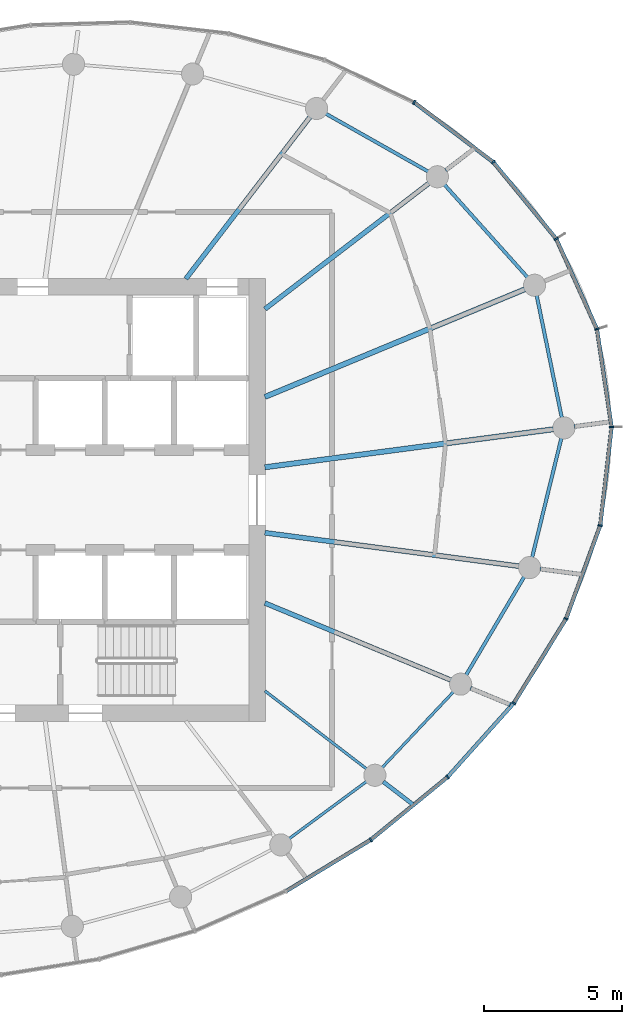
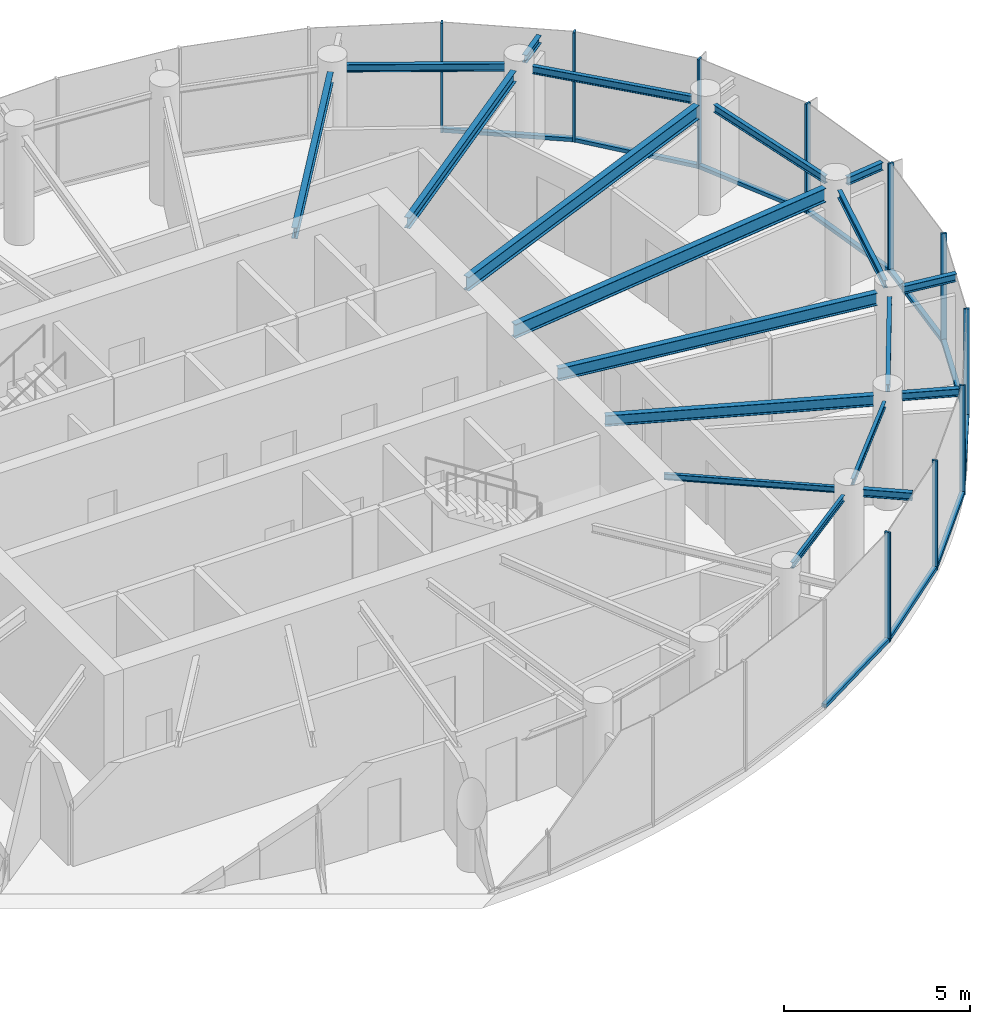
# One storey, part 5 of 13: 20 members, 19 beams, 3 elements without a shape of their own.
"""IFC4 building model written with IfcOpenShell, lengths in metres."""

from ifc_helpers import new_model, si_unit, direction, frame, origin, origin_2d, place, context, subcontext, project, spatial, rectangle, i_section, extrude, source, transform, mapped, material, layer, layer_set, material_profile, profile_set, type_object, element, aggregate, save


model = new_model("IFC4")

# Units and contexts
model_context = context("Model", 3, precision=1e-05, world=origin(), true_north=direction((0.0, 1.0)))
body_context = subcontext(model_context, "Body", "Model", "MODEL_VIEW")
ifc_project = project(units=[si_unit("LENGTHUNIT", "METRE"), si_unit("AREAUNIT", "SQUARE_METRE"), si_unit("VOLUMEUNIT", "CUBIC_METRE"), si_unit("PLANEANGLEUNIT", "RADIAN"), si_unit("MASSUNIT", "GRAM", prefix="KILO")], contexts=[model_context])

# Site, building, storey
site_placement = place(None, origin())
site = spatial("IfcSite", under=ifc_project, at=site_placement, CompositionType="ELEMENT")
building_placement = place(site_placement, origin())
building = spatial("IfcBuilding", under=site, at=building_placement, Name="Spindrift Exchange Tower", CompositionType="ELEMENT")
storey_placement = place(building_placement, frame((0.0, 0.0, 254.0)))
storey = spatial("IfcBuildingStorey", under=building, at=storey_placement, Name="L62", CompositionType="ELEMENT", Elevation=254.0)

# Beams
ifc_material_1 = material(Name="Steel Grade 300", Category="steel")
ifc_material_profile_1 = material_profile(ifc_material_1, i_section(OverallWidth=0.14599609375, OverallDepth=0.251953125, WebThickness=0.006103515625, FlangeThickness=0.008544921875, FilletRadius=0.011962890625, at=origin_2d()), Name="250UB31.4")
ifc_profile_set_1 = profile_set([ifc_material_profile_1], Name="Steel Grade 300")
beam_type_1 = type_object("IfcBeamType", Name="Cantilever Beam 250UB31.4 Steel Grade 300", PredefinedType="BEAM", material=ifc_profile_set_1)
shared_shape_1 = source(origin(), body_context, "Body", "SweptSolid", [
    extrude(i_section(OverallWidth=0.14599609375, OverallDepth=0.251953125, WebThickness=0.006103515625, FlangeThickness=0.008544921875, FilletRadius=0.011962890625, at=origin_2d()), origin(), (0.0, 0.0, 1.0), 1.551025390625),
])
beam_1_placement = place(storey_placement, frame((68.402587890625, 41.205810546875, 3.4541015625), z_axis=(0.923903659935, -0.382625178416, 0.0), x_axis=(0.382625178416, 0.923903659935, 0.0)))
element("IfcBeam", 1, at=beam_1_placement, inside=storey, type_object=beam_type_1, Name="L62 cantilever beam R23T", PredefinedType="BEAM", context=body_context, shape_type="MappedRepresentation", body=[
    mapped(shared_shape_1, transform((0.0, 0.0, 0.0), scale=1.0)),
])
shared_shape_2 = source(origin(), body_context, "Body", "SweptSolid", [
    extrude(i_section(OverallWidth=0.14599609375, OverallDepth=0.251953125, WebThickness=0.006103515625, FlangeThickness=0.008544921875, FilletRadius=0.011962890625, at=origin_2d()), origin(), (0.0, 0.0, 1.0), 1.183837890625),
])
beam_2_placement = place(storey_placement, frame((72.154052734375, 50.6533203125, 3.4541015625), z_axis=(0.991444466653, 0.130529190389, 0.0), x_axis=(-0.130529190389, 0.991444466653, 0.0)))
element("IfcBeam", 2, at=beam_2_placement, inside=storey, type_object=beam_type_1, Name="L62 cantilever beam R01T", PredefinedType="BEAM", context=body_context, shape_type="MappedRepresentation", body=[
    mapped(shared_shape_2, transform((0.0, 0.0, 0.0), scale=1.0)),
])
ifc_material_profile_2 = material_profile(ifc_material_1, i_section(OverallWidth=0.18994140625, OverallDepth=0.4541015625, WebThickness=0.008544921875, FlangeThickness=0.0126953125, FilletRadius=0.013916015625, at=origin_2d()), Name="460UB67.1")
ifc_profile_set_2 = profile_set([ifc_material_profile_2], Name="Steel Grade 300")
beam_type_2 = type_object("IfcBeamType", Name="Floor Beam 460UB67.1 Steel Grade 300", PredefinedType="BEAM", material=ifc_profile_set_2)
shared_shape_3 = source(origin(), body_context, "Body", "SweptSolid", [
    extrude(i_section(OverallWidth=0.18994140625, OverallDepth=0.4541015625, WebThickness=0.008544921875, FlangeThickness=0.0126953125, FilletRadius=0.013916015625, at=origin_2d()), origin(), (0.0, 0.0, 1.0), 10.510009765625),
])
beam_3_placement = place(storey_placement, frame((60.980224609375, 49.182373046875, 3.35302734375), z_axis=(0.991445042488, 0.130524816516, 0.0), x_axis=(-0.130524816516, 0.991445042488, 0.0)))
element("IfcBeam", 3, at=beam_3_placement, inside=storey, type_object=beam_type_2, Name="L62 radial beam R01A", PredefinedType="BEAM", context=body_context, shape_type="MappedRepresentation", body=[
    mapped(shared_shape_3, transform((0.0, 0.0, 0.0), scale=1.0)),
])
shared_shape_4 = source(origin(), body_context, "Body", "SweptSolid", [
    extrude(i_section(OverallWidth=0.18994140625, OverallDepth=0.4541015625, WebThickness=0.008544921875, FlangeThickness=0.0126953125, FilletRadius=0.013916015625, at=origin_2d()), origin(), (0.0, 0.0, 1.0), 10.160400390625),
])
beam_4_placement = place(storey_placement, frame((60.9814453125, 51.72021484375, 3.35302734375), z_axis=(0.923880358773, 0.382681437588, 0.0), x_axis=(-0.382681437588, 0.923880358773, 0.0)))
element("IfcBeam", 4, at=beam_4_placement, inside=storey, type_object=beam_type_2, Name="L62 radial beam R02A", PredefinedType="BEAM", context=body_context, shape_type="MappedRepresentation", body=[
    mapped(shared_shape_4, transform((0.0, 0.0, 0.0), scale=1.0)),
])
ifc_material_profile_3 = material_profile(ifc_material_1, i_section(OverallWidth=0.1708984375, OverallDepth=0.35205078125, WebThickness=0.0068359375, FlangeThickness=0.009765625, FilletRadius=0.013916015625, at=origin_2d()), Name="360UB44.7")
ifc_profile_set_3 = profile_set([ifc_material_profile_3], Name="Steel Grade 300")
beam_type_3 = type_object("IfcBeamType", Name="Floor Beam 360UB44.7 Steel Grade 300", PredefinedType="BEAM", material=ifc_profile_set_3)
shared_shape_5 = source(origin(), body_context, "Body", "SweptSolid", [
    extrude(i_section(OverallWidth=0.1708984375, OverallDepth=0.35205078125, WebThickness=0.0068359375, FlangeThickness=0.009765625, FilletRadius=0.013916015625, at=origin_2d()), origin(), (0.0, 0.0, 1.0), 7.466796875),
])
beam_5_placement = place(storey_placement, frame((60.984130859375, 54.893798828125, 3.404052734375), z_axis=(0.793360004804, 0.608752743548, 0.0), x_axis=(-0.608752743548, 0.793360004804, 0.0)))
element("IfcBeam", 5, at=beam_5_placement, inside=storey, type_object=beam_type_3, Name="L62 radial beam R03A", PredefinedType="BEAM", context=body_context, shape_type="MappedRepresentation", body=[
    mapped(shared_shape_5, transform((0.0, 0.0, 0.0), scale=1.0)),
])
shared_shape_6 = source(origin(), body_context, "Body", "SweptSolid", [
    extrude(i_section(OverallWidth=0.1708984375, OverallDepth=0.35205078125, WebThickness=0.0068359375, FlangeThickness=0.009765625, FilletRadius=0.013916015625, at=origin_2d()), origin(), (0.0, 0.0, 1.0), 7.3740234375),
])
beam_6_placement = place(storey_placement, frame((58.12646484375, 55.984130859375, 3.404052734375), z_axis=(0.608751913917, 0.793360641387, 0.0), x_axis=(-0.793360641387, 0.608751913917, 0.0)))
element("IfcBeam", 6, at=beam_6_placement, inside=storey, type_object=beam_type_3, Name="L62 radial beam R04A", PredefinedType="BEAM", context=body_context, shape_type="MappedRepresentation", body=[
    mapped(shared_shape_6, transform((0.0, 0.0, 0.0), scale=1.0)),
])
ifc_material_profile_4 = material_profile(ifc_material_1, i_section(OverallWidth=0.09912109375, OverallDepth=0.197998046875, WebThickness=0.00439453125, FlangeThickness=0.007080078125, FilletRadius=0.010986328125, at=origin_2d()), Name="200UB18.2")
ifc_profile_set_4 = profile_set([ifc_material_profile_4], Name="Steel Grade 300")
beam_type_4 = type_object("IfcBeamType", Name="Floor Beam 200UB18.2 Steel Grade 300", PredefinedType="BEAM", material=ifc_profile_set_4)
shared_shape_7 = source(origin(), body_context, "Body", "SweptSolid", [
    extrude(i_section(OverallWidth=0.09912109375, OverallDepth=0.197998046875, WebThickness=0.00439453125, FlangeThickness=0.007080078125, FilletRadius=0.010986328125, at=origin_2d()), origin(), (0.0, 0.0, 1.0), 4.622802734375),
])
beam_7_placement = place(storey_placement, frame((60.984130859375, 41.106201171875, 3.48095703125), z_axis=(0.793347882225, -0.608768542033, 0.0), x_axis=(0.608768542033, 0.793347882225, 0.0)))
element("IfcBeam", 7, at=beam_7_placement, inside=storey, type_object=beam_type_4, Name="L62 radial beam R22A", PredefinedType="BEAM", context=body_context, shape_type="MappedRepresentation", body=[
    mapped(shared_shape_7, transform((0.0, 0.0, 0.0), scale=1.0)),
])
shared_shape_8 = source(origin(), body_context, "Body", "SweptSolid", [
    extrude(i_section(OverallWidth=0.1708984375, OverallDepth=0.35205078125, WebThickness=0.0068359375, FlangeThickness=0.009765625, FilletRadius=0.013916015625, at=origin_2d()), origin(), (0.0, 0.0, 1.0), 7.272705078125),
])
beam_8_placement = place(storey_placement, frame((60.9814453125, 44.27978515625, 3.404052734375), z_axis=(0.923874446092, -0.382695711836, 0.0), x_axis=(0.382695711836, 0.923874446092, 0.0)))
element("IfcBeam", 8, at=beam_8_placement, inside=storey, type_object=beam_type_3, Name="L62 radial beam R23A", PredefinedType="BEAM", context=body_context, shape_type="MappedRepresentation", body=[
    mapped(shared_shape_8, transform((0.0, 0.0, 0.0), scale=1.0)),
])
ifc_material_profile_5 = material_profile(ifc_material_1, i_section(OverallWidth=0.177978515625, OverallDepth=0.403076171875, WebThickness=0.007568359375, FlangeThickness=0.010986328125, FilletRadius=0.013916015625, at=origin_2d()), Name="410UB53.7")
ifc_profile_set_5 = profile_set([ifc_material_profile_5], Name="Steel Grade 300")
beam_type_5 = type_object("IfcBeamType", Name="Floor Beam 410UB53.7 Steel Grade 300", PredefinedType="BEAM", material=ifc_profile_set_5)
shared_shape_9 = source(origin(), body_context, "Body", "SweptSolid", [
    extrude(i_section(OverallWidth=0.177978515625, OverallDepth=0.403076171875, WebThickness=0.007568359375, FlangeThickness=0.010986328125, FilletRadius=0.013916015625, at=origin_2d()), origin(), (0.0, 0.0, 1.0), 9.261962890625),
])
beam_9_placement = place(storey_placement, frame((60.980224609375, 46.817626953125, 3.37841796875), z_axis=(0.991447744872, -0.130504288008, 0.0), x_axis=(0.130504288008, 0.991447744872, 0.0)))
element("IfcBeam", 9, at=beam_9_placement, inside=storey, type_object=beam_type_5, Name="L62 radial beam R24A", PredefinedType="BEAM", context=body_context, shape_type="MappedRepresentation", body=[
    mapped(shared_shape_9, transform((0.0, 0.0, 0.0), scale=1.0)),
])
ifc_material_profile_6 = material_profile(ifc_material_1, i_section(OverallWidth=0.1240234375, OverallDepth=0.248046875, WebThickness=0.0048828125, FlangeThickness=0.008056640625, FilletRadius=0.011962890625, at=origin_2d()), Name="250UB25.7")
ifc_profile_set_6 = profile_set([ifc_material_profile_6], Name="Steel Grade 300")
beam_type_6 = type_object("IfcBeamType", Name="Edge Beam 250UB25.7 Steel Grade 300", PredefinedType="SPANDREL", material=ifc_profile_set_6)
shared_shape_10 = source(origin(), body_context, "Body", "SweptSolid", [
    extrude(i_section(OverallWidth=0.1240234375, OverallDepth=0.248046875, WebThickness=0.0048828125, FlangeThickness=0.008056640625, FilletRadius=0.011962890625, at=origin_2d()), origin(), (0.0, 0.0, 1.0), 4.497802734375),
])
beam_10_placement = place(storey_placement, frame((71.700927734375, 50.975830078125, 3.4560546875), z_axis=(-0.201217935785, 0.979546498293, 0.0), x_axis=(-0.979546498293, -0.201217935785, 0.0)))
element("IfcBeam", 10, at=beam_10_placement, inside=storey, type_object=beam_type_6, Name="L62 edge beam E01", PredefinedType="SPANDREL", context=body_context, shape_type="MappedRepresentation", body=[
    mapped(shared_shape_10, transform((0.0, 0.0, 0.0), scale=1.0)),
])
shared_shape_11 = source(origin(), body_context, "Body", "SweptSolid", [
    extrude(i_section(OverallWidth=0.1240234375, OverallDepth=0.248046875, WebThickness=0.0048828125, FlangeThickness=0.008056640625, FilletRadius=0.011962890625, at=origin_2d()), origin(), (0.0, 0.0, 1.0), 4.499755859375),
])
beam_11_placement = place(storey_placement, frame((70.466064453125, 56.036865234375, 3.4560546875), z_axis=(-0.667419502646, 0.744681950558, 0.0), x_axis=(-0.744681950558, -0.667419502646, 0.0)))
element("IfcBeam", 11, at=beam_11_placement, inside=storey, type_object=beam_type_6, Name="L62 edge beam E02", PredefinedType="SPANDREL", context=body_context, shape_type="MappedRepresentation", body=[
    mapped(shared_shape_11, transform((0.0, 0.0, 0.0), scale=1.0)),
])
shared_shape_12 = source(origin(), body_context, "Body", "SweptSolid", [
    extrude(i_section(OverallWidth=0.1240234375, OverallDepth=0.248046875, WebThickness=0.0048828125, FlangeThickness=0.008056640625, FilletRadius=0.011962890625, at=origin_2d()), origin(), (0.0, 0.0, 1.0), 4.2509765625),
])
beam_12_placement = place(storey_placement, frame((66.878662109375, 59.857666015625, 3.4560546875), z_axis=(-0.870615246867, 0.491964523033, 0.0), x_axis=(-0.491964523033, -0.870615246867, 0.0)))
element("IfcBeam", 12, at=beam_12_placement, inside=storey, type_object=beam_type_6, Name="L62 edge beam E03", PredefinedType="SPANDREL", context=body_context, shape_type="MappedRepresentation", body=[
    mapped(shared_shape_12, transform((0.0, 0.0, 0.0), scale=1.0)),
])
ifc_material_profile_7 = material_profile(ifc_material_1, i_section(OverallWidth=0.09912109375, OverallDepth=0.197998046875, WebThickness=0.00439453125, FlangeThickness=0.007080078125, FilletRadius=0.010986328125, at=origin_2d()), Name="200UB18.2")
ifc_profile_set_7 = profile_set([ifc_material_profile_7], Name="Steel Grade 300")
beam_type_7 = type_object("IfcBeamType", Name="Edge Beam 200UB18.2 Steel Grade 300", PredefinedType="SPANDREL", material=ifc_profile_set_7)
shared_shape_13 = source(origin(), body_context, "Body", "SweptSolid", [
    extrude(i_section(OverallWidth=0.09912109375, OverallDepth=0.197998046875, WebThickness=0.00439453125, FlangeThickness=0.007080078125, FilletRadius=0.010986328125, at=origin_2d()), origin(), (0.0, 0.0, 1.0), 3.466552734375),
])
beam_13_placement = place(storey_placement, frame((61.861083984375, 35.772705078125, 3.48095703125), z_axis=(0.803854022168, 0.594826622676, 0.0), x_axis=(-0.594826622676, 0.803854022168, 0.0)))
element("IfcBeam", 13, at=beam_13_placement, inside=storey, type_object=beam_type_7, Name="L62 edge beam E21", PredefinedType="SPANDREL", context=body_context, shape_type="MappedRepresentation", body=[
    mapped(shared_shape_13, transform((0.0, 0.0, 0.0), scale=1.0)),
])
shared_shape_14 = source(origin(), body_context, "Body", "SweptSolid", [
    extrude(i_section(OverallWidth=0.09912109375, OverallDepth=0.197998046875, WebThickness=0.00439453125, FlangeThickness=0.007080078125, FilletRadius=0.010986328125, at=origin_2d()), origin(), (0.0, 0.0, 1.0), 3.759765625),
])
beam_14_placement = place(storey_placement, frame((65.213623046875, 38.33740234375, 3.48095703125), z_axis=(0.685520646854, 0.72805318675, 0.0), x_axis=(-0.72805318675, 0.685520646854, 0.0)))
element("IfcBeam", 14, at=beam_14_placement, inside=storey, type_object=beam_type_7, Name="L62 edge beam E22", PredefinedType="SPANDREL", context=body_context, shape_type="MappedRepresentation", body=[
    mapped(shared_shape_14, transform((0.0, 0.0, 0.0), scale=1.0)),
])
shared_shape_15 = source(origin(), body_context, "Body", "SweptSolid", [
    extrude(i_section(OverallWidth=0.1240234375, OverallDepth=0.248046875, WebThickness=0.0048828125, FlangeThickness=0.008056640625, FilletRadius=0.011962890625, at=origin_2d()), origin(), (0.0, 0.0, 1.0), 4.128662109375),
])
beam_15_placement = place(storey_placement, frame((68.244873046875, 41.678466796875, 3.4560546875), z_axis=(0.509067946458, 0.860726336235, 0.0), x_axis=(-0.860726336235, 0.509067946458, 0.0)))
element("IfcBeam", 15, at=beam_15_placement, inside=storey, type_object=beam_type_6, Name="L62 edge beam E23", PredefinedType="SPANDREL", context=body_context, shape_type="MappedRepresentation", body=[
    mapped(shared_shape_15, transform((0.0, 0.0, 0.0), scale=1.0)),
])
shared_shape_16 = source(origin(), body_context, "Body", "SweptSolid", [
    extrude(i_section(OverallWidth=0.1240234375, OverallDepth=0.248046875, WebThickness=0.0048828125, FlangeThickness=0.008056640625, FilletRadius=0.011962890625, at=origin_2d()), origin(), (0.0, 0.0, 1.0), 4.43408203125),
])
beam_16_placement = place(storey_placement, frame((70.630615234375, 45.92822265625, 3.4560546875), z_axis=(0.238193109804, 0.971217814109, 0.0), x_axis=(-0.971217814109, 0.238193109804, 0.0)))
element("IfcBeam", 16, at=beam_16_placement, inside=storey, type_object=beam_type_6, Name="L62 edge beam E24", PredefinedType="SPANDREL", context=body_context, shape_type="MappedRepresentation", body=[
    mapped(shared_shape_16, transform((0.0, 0.0, 0.0), scale=1.0)),
])
shared_shape_17 = source(origin(), body_context, "Body", "SweptSolid", [
    extrude(i_section(OverallWidth=0.14599609375, OverallDepth=0.251953125, WebThickness=0.006103515625, FlangeThickness=0.008544921875, FilletRadius=0.011962890625, at=origin_2d()), origin(), (0.0, 0.0, 1.0), 1.0263671875),
])
beam_17_placement = place(storey_placement, frame((67.510986328125, 59.90185546875, 3.4541015625), z_axis=(0.793357419476, 0.608756112875, 0.0), x_axis=(-0.608756112875, 0.793357419476, 0.0)))
element("IfcBeam", 17, at=beam_17_placement, inside=storey, type_object=beam_type_1, Name="L62 cantilever beam R03T", PredefinedType="BEAM", context=body_context, shape_type="MappedRepresentation", body=[
    mapped(shared_shape_17, transform((0.0, 0.0, 0.0), scale=1.0)),
])
shared_shape_18 = source(origin(), body_context, "Body", "SweptSolid", [
    extrude(i_section(OverallWidth=0.14599609375, OverallDepth=0.251953125, WebThickness=0.006103515625, FlangeThickness=0.008544921875, FilletRadius=0.011962890625, at=origin_2d()), origin(), (0.0, 0.0, 1.0), 1.338623046875),
])
beam_18_placement = place(storey_placement, frame((65.25439453125, 37.829345703125, 3.4541015625), z_axis=(0.793430184658, -0.608661270391, 0.0), x_axis=(0.608661270391, 0.793430184658, 0.0)))
element("IfcBeam", 18, at=beam_18_placement, inside=storey, type_object=beam_type_1, Name="L62 cantilever beam R22T", PredefinedType="BEAM", context=body_context, shape_type="MappedRepresentation", body=[
    mapped(shared_shape_18, transform((0.0, 0.0, 0.0), scale=1.0)),
])
shared_shape_19 = source(origin(), body_context, "Body", "SweptSolid", [
    extrude(i_section(OverallWidth=0.14599609375, OverallDepth=0.251953125, WebThickness=0.006103515625, FlangeThickness=0.008544921875, FilletRadius=0.011962890625, at=origin_2d()), origin(), (0.0, 0.0, 1.0), 1.546630859375),
])
beam_19_placement = place(storey_placement, frame((70.916748046875, 45.509521484375, 3.4541015625), z_axis=(0.991443009305, -0.130540259305, 0.0), x_axis=(0.130540259305, 0.991443009305, 0.0)))
element("IfcBeam", 19, at=beam_19_placement, inside=storey, type_object=beam_type_1, Name="L62 cantilever beam R24T", PredefinedType="BEAM", context=body_context, shape_type="MappedRepresentation", body=[
    mapped(shared_shape_19, transform((0.0, 0.0, 0.0), scale=1.0)),
])

# Curtain wall, members
ifc_material_2 = material(Name="Fritted laminated glass with bronze frame", Category="glass")
ifc_layer = layer(ifc_material_2, 0.159912109375)
ifc_layer_set = layer_set([ifc_layer], Name="ZONE 5 BRONZE FRITTED WALL")
curtain_wall_type = type_object("IfcCurtainWallType", Name="ZONE 5 BRONZE FRITTED WALL", PredefinedType="NOTDEFINED", material=ifc_layer_set)
curtain_wall_1_placement = place(storey_placement, origin())
curtain_wall_1 = element("IfcCurtainWall", 20, at=curtain_wall_1_placement, inside=storey, type_object=curtain_wall_type, Name="L62 Zone 5 Bronze Fritted Wall run 1", PredefinedType="NOTDEFINED")
ifc_material_3 = material(Name="Bronze anodised aluminium", Category="aluminium")
ifc_material_profile_8 = material_profile(ifc_material_3, rectangle(XDim=0.06005859375, YDim=0.159912109375, at=origin_2d()), Name="ZONE 5 BRONZE FRITTED WALL MULLION 60X160")
ifc_profile_set_8 = profile_set([ifc_material_profile_8], Name="Bronze anodised aluminium")
member_type_1 = type_object("IfcMemberType", Name="ZONE 5 BRONZE FRITTED WALL MULLION 60X160", PredefinedType="MULLION", material=ifc_profile_set_8)
shared_shape_20 = source(origin(), body_context, "Body", "SweptSolid", [
    extrude(rectangle(XDim=0.06005859375, YDim=0.159912109375, at=origin_2d()), origin(), (0.0, 0.0, 1.0), 3.580078125),
])
member_1_placement = place(storey_placement, frame((72.970703125, 54.169921875, 0.0), z_axis=(0.0, 0.0, 1.0), x_axis=(-0.282237540268, 0.959344552736, 0.0)))
member_1 = element("IfcMember", 21, at=member_1_placement, type_object=member_type_1, Name="L62 mullion CW-5.1", PredefinedType="MULLION", context=body_context, shape_type="MappedRepresentation", body=[
    mapped(shared_shape_20, transform((0.0, 0.0, 0.0), scale=1.0)),
])
member_2_placement = place(storey_placement, frame((71.49951171875, 57.430908203125, 0.0), z_axis=(0.0, 0.0, 1.0), x_axis=(-0.527510952082, 0.849548230199, 0.0)))
member_2 = element("IfcMember", 22, at=member_2_placement, type_object=member_type_1, Name="L62 mullion CW-5.2", PredefinedType="MULLION", context=body_context, shape_type="MappedRepresentation", body=[
    mapped(shared_shape_20, transform((0.0, 0.0, 0.0), scale=1.0)),
])
member_3_placement = place(storey_placement, frame((69.22802734375, 60.197021484375, 0.0), z_axis=(0.0, 0.0, 1.0), x_axis=(-0.721093728116, 0.692837524439, 0.0)))
member_3 = element("IfcMember", 23, at=member_3_placement, type_object=member_type_1, Name="L62 mullion CW-5.3", PredefinedType="MULLION", context=body_context, shape_type="MappedRepresentation", body=[
    mapped(shared_shape_20, transform((0.0, 0.0, 0.0), scale=1.0)),
])
member_4_placement = place(storey_placement, frame((66.37158203125, 62.357421875, 0.0), z_axis=(0.0, 0.0, 1.0), x_axis=(-0.854743718233, 0.519050263598, 0.0)))
member_4 = element("IfcMember", 24, at=member_4_placement, type_object=member_type_1, Name="L62 mullion CW-5.4", PredefinedType="MULLION", context=body_context, shape_type="MappedRepresentation", body=[
    mapped(shared_shape_20, transform((0.0, 0.0, 0.0), scale=1.0)),
])

curtain_wall_2_placement = place(storey_placement, origin())
curtain_wall_2 = element("IfcCurtainWall", 25, at=curtain_wall_2_placement, inside=storey, type_object=curtain_wall_type, Name="L62 Zone 5 Bronze Fritted Wall run 5", PredefinedType="NOTDEFINED")
member_5_placement = place(storey_placement, frame((64.801513671875, 35.727783203125, 0.0), z_axis=(0.0, 0.0, 1.0), x_axis=(0.816787534057, 0.576938579234, 0.0)))
member_5 = element("IfcMember", 26, at=member_5_placement, type_object=member_type_1, Name="L62 mullion CW-5.29", PredefinedType="MULLION", context=body_context, shape_type="MappedRepresentation", body=[
    mapped(shared_shape_20, transform((0.0, 0.0, 0.0), scale=1.0)),
])
member_6_placement = place(storey_placement, frame((67.57763671875, 37.996826171875, 0.0), z_axis=(0.0, 0.0, 1.0), x_axis=(0.722977818343, 0.69087124284, 0.0)))
member_6 = element("IfcMember", 27, at=member_6_placement, type_object=member_type_1, Name="L62 mullion CW-5.30", PredefinedType="MULLION", context=body_context, shape_type="MappedRepresentation", body=[
    mapped(shared_shape_20, transform((0.0, 0.0, 0.0), scale=1.0)),
])

curtain_wall_3_placement = place(storey_placement, origin())
curtain_wall_3 = element("IfcCurtainWall", 28, at=curtain_wall_3_placement, inside=storey, type_object=curtain_wall_type, Name="L62 Zone 5 Bronze Fritted Wall run 6", PredefinedType="NOTDEFINED")
member_7_placement = place(storey_placement, frame((69.969970703125, 40.66650390625, 0.0), z_axis=(0.0, 0.0, 1.0), x_axis=(0.599295911585, 0.800527582509, 0.0)))
member_7 = element("IfcMember", 29, at=member_7_placement, type_object=member_type_1, Name="L62 mullion CW-5.31", PredefinedType="MULLION", context=body_context, shape_type="MappedRepresentation", body=[
    mapped(shared_shape_20, transform((0.0, 0.0, 0.0), scale=1.0)),
])
member_8_placement = place(storey_placement, frame((71.85693359375, 43.712890625, 0.0), z_axis=(0.0, 0.0, 1.0), x_axis=(0.437477537297, 0.899229339135, 0.0)))
member_8 = element("IfcMember", 30, at=member_8_placement, type_object=member_type_1, Name="L62 mullion CW-5.32", PredefinedType="MULLION", context=body_context, shape_type="MappedRepresentation", body=[
    mapped(shared_shape_20, transform((0.0, 0.0, 0.0), scale=1.0)),
])
member_9_placement = place(storey_placement, frame((73.08837890625, 47.075927734375, 0.0), z_axis=(0.0, 0.0, 1.0), x_axis=(0.23099565963, 0.972954780672, 0.0)))
member_9 = element("IfcMember", 31, at=member_9_placement, type_object=member_type_1, Name="L62 mullion CW-5.33", PredefinedType="MULLION", context=body_context, shape_type="MappedRepresentation", body=[
    mapped(shared_shape_20, transform((0.0, 0.0, 0.0), scale=1.0)),
])
member_10_placement = place(storey_placement, frame((73.5, 50.631591796875, 0.0), z_axis=(0.0, 0.0, 1.0), x_axis=(-0.016608702222, 0.999862065992, 0.0)))
member_10 = element("IfcMember", 32, at=member_10_placement, type_object=member_type_1, Name="L62 mullion CW-5.34", PredefinedType="MULLION", context=body_context, shape_type="MappedRepresentation", body=[
    mapped(shared_shape_20, transform((0.0, 0.0, 0.0), scale=1.0)),
])

# Member
ifc_material_profile_9 = material_profile(ifc_material_3, rectangle(XDim=0.139892578125, YDim=0.1201171875, at=origin_2d()), Name="ZONE 5 BRONZE FRITTED WALL TRANSOM 140X120")
ifc_profile_set_9 = profile_set([ifc_material_profile_9], Name="Bronze anodised aluminium")
member_type_2 = type_object("IfcMemberType", Name="ZONE 5 BRONZE FRITTED WALL TRANSOM 140X120", PredefinedType="USERDEFINED", material=ifc_profile_set_9)
shared_shape_21 = source(origin(), body_context, "Body", "SweptSolid", [
    extrude(rectangle(XDim=0.139892578125, YDim=0.1201171875, at=origin_2d()), origin(), (0.0, 0.0, 1.0), 3.52587890625),
])
member_11_placement = place(storey_placement, frame((61.76025390625, 33.885009765625, 0.06005859375), z_axis=(0.855261067193, 0.518197362927, 0.0), x_axis=(-0.518197362927, 0.855261067193, 0.0)))
member_11 = element("IfcMember", 33, at=member_11_placement, type_object=member_type_2, Name="L62 transom CW-5.28", ObjectType="TRANSOM", PredefinedType="USERDEFINED", context=body_context, shape_type="MappedRepresentation", body=[
    mapped(shared_shape_21, transform((0.0, 0.0, 0.0), scale=1.0)),
])

shared_shape_22 = source(origin(), body_context, "Body", "SweptSolid", [
    extrude(rectangle(XDim=0.139892578125, YDim=0.1201171875, at=origin_2d()), origin(), (0.0, 0.0, 1.0), 3.525390625),
])
member_12_placement = place(storey_placement, frame((64.82470703125, 35.746826171875, 0.06005859375), z_axis=(0.774299671787, 0.632819103908, 0.0), x_axis=(-0.632819103908, 0.774299671787, 0.0)))
member_12 = element("IfcMember", 34, at=member_12_placement, type_object=member_type_2, Name="L62 transom CW-5.29", ObjectType="TRANSOM", PredefinedType="USERDEFINED", context=body_context, shape_type="MappedRepresentation", body=[
    mapped(shared_shape_22, transform((0.0, 0.0, 0.0), scale=1.0)),
])

shared_shape_23 = source(origin(), body_context, "Body", "SweptSolid", [
    extrude(rectangle(XDim=0.139892578125, YDim=0.1201171875, at=origin_2d()), origin(), (0.0, 0.0, 1.0), 3.521484375),
])
member_13_placement = place(storey_placement, frame((69.2041015625, 60.215087890625, 0.06005859375), z_axis=(-0.797564144464, 0.603234146469, 0.0), x_axis=(-0.603234146469, -0.797564144464, 0.0)))
member_13 = element("IfcMember", 35, at=member_13_placement, type_object=member_type_2, Name="L62 transom CW-5.3", ObjectType="TRANSOM", PredefinedType="USERDEFINED", context=body_context, shape_type="MappedRepresentation", body=[
    mapped(shared_shape_23, transform((0.0, 0.0, 0.0), scale=1.0)),
])

member_14_placement = place(storey_placement, frame((71.867431640625, 43.740966796875, 0.06005859375), z_axis=(0.343735135288, 0.939066641282, 0.0), x_axis=(-0.939066641282, 0.343735135288, 0.0)))
member_14 = element("IfcMember", 36, at=member_14_placement, type_object=member_type_2, Name="L62 transom CW-5.32", ObjectType="TRANSOM", PredefinedType="USERDEFINED", context=body_context, shape_type="MappedRepresentation", body=[
    mapped(shared_shape_23, transform((0.0, 0.0, 0.0), scale=1.0)),
])

shared_shape_24 = source(origin(), body_context, "Body", "SweptSolid", [
    extrude(rectangle(XDim=0.139892578125, YDim=0.1201171875, at=origin_2d()), origin(), (0.0, 0.0, 1.0), 3.519287109375),
])
member_15_placement = place(storey_placement, frame((71.48046875, 57.4541015625, 0.06005859375), z_axis=(-0.634626982223, 0.772818603188, 0.0), x_axis=(-0.772818603188, -0.634626982223, 0.0)))
member_15 = element("IfcMember", 37, at=member_15_placement, type_object=member_type_2, Name="L62 transom CW-5.2", ObjectType="TRANSOM", PredefinedType="USERDEFINED", context=body_context, shape_type="MappedRepresentation", body=[
    mapped(shared_shape_24, transform((0.0, 0.0, 0.0), scale=1.0)),
])

shared_shape_25 = source(origin(), body_context, "Body", "SweptSolid", [
    extrude(rectangle(XDim=0.139892578125, YDim=0.1201171875, at=origin_2d()), origin(), (0.0, 0.0, 1.0), 3.517333984375),
])
member_16_placement = place(storey_placement, frame((72.958251953125, 54.197265625, 0.06005859375), z_axis=(-0.411181263639, 0.911553601514, 0.0), x_axis=(-0.911553601514, -0.411181263639, 0.0)))
member_16 = element("IfcMember", 38, at=member_16_placement, type_object=member_type_2, Name="L62 transom CW-5.1", ObjectType="TRANSOM", PredefinedType="USERDEFINED", context=body_context, shape_type="MappedRepresentation", body=[
    mapped(shared_shape_25, transform((0.0, 0.0, 0.0), scale=1.0)),
])

aggregate(curtain_wall_1, [member_1, member_16, member_2, member_15, member_3, member_13, member_4])

member_17_placement = place(storey_placement, frame((73.495361328125, 50.661376953125, 0.06005859375), z_axis=(-0.147909393736, 0.989000915695, 0.0), x_axis=(-0.989000915695, -0.147909393736, 0.0)))
member_17 = element("IfcMember", 39, at=member_17_placement, type_object=member_type_2, Name="L62 transom CW-5.34", ObjectType="TRANSOM", PredefinedType="USERDEFINED", context=body_context, shape_type="MappedRepresentation", body=[
    mapped(shared_shape_25, transform((0.0, 0.0, 0.0), scale=1.0)),
])

shared_shape_26 = source(origin(), body_context, "Body", "SweptSolid", [
    extrude(rectangle(XDim=0.139892578125, YDim=0.1201171875, at=origin_2d()), origin(), (0.0, 0.0, 1.0), 3.51953125),
])
member_18_placement = place(storey_placement, frame((73.091796875, 47.105712890625, 0.06005859375), z_axis=(0.114945328536, 0.993371819334, 0.0), x_axis=(-0.993371819334, 0.114945328536, 0.0)))
member_18 = element("IfcMember", 40, at=member_18_placement, type_object=member_type_2, Name="L62 transom CW-5.33", ObjectType="TRANSOM", PredefinedType="USERDEFINED", context=body_context, shape_type="MappedRepresentation", body=[
    mapped(shared_shape_26, transform((0.0, 0.0, 0.0), scale=1.0)),
])

shared_shape_27 = source(origin(), body_context, "Body", "SweptSolid", [
    extrude(rectangle(XDim=0.139892578125, YDim=0.1201171875, at=origin_2d()), origin(), (0.0, 0.0, 1.0), 3.5234375),
])
member_19_placement = place(storey_placement, frame((69.985595703125, 40.692138671875, 0.06005859375), z_axis=(0.526681379659, 0.850062776694, 0.0), x_axis=(-0.850062776694, 0.526681379659, 0.0)))
member_19 = element("IfcMember", 41, at=member_19_placement, type_object=member_type_2, Name="L62 transom CW-5.31", ObjectType="TRANSOM", PredefinedType="USERDEFINED", context=body_context, shape_type="MappedRepresentation", body=[
    mapped(shared_shape_27, transform((0.0, 0.0, 0.0), scale=1.0)),
])

aggregate(curtain_wall_3, [member_7, member_19, member_8, member_14, member_9, member_18, member_10, member_17])

shared_shape_28 = source(origin(), body_context, "Body", "SweptSolid", [
    extrude(rectangle(XDim=0.139892578125, YDim=0.1201171875, at=origin_2d()), origin(), (0.0, 0.0, 1.0), 3.52490234375),
])
member_20_placement = place(storey_placement, frame((67.59765625, 38.01904296875, 0.06005859375), z_axis=(0.667329169338, 0.744762901701, 0.0), x_axis=(-0.744762901701, 0.667329169338, 0.0)))
member_20 = element("IfcMember", 42, at=member_20_placement, type_object=member_type_2, Name="L62 transom CW-5.30", ObjectType="TRANSOM", PredefinedType="USERDEFINED", context=body_context, shape_type="MappedRepresentation", body=[
    mapped(shared_shape_28, transform((0.0, 0.0, 0.0), scale=1.0)),
])

aggregate(curtain_wall_2, [member_11, member_5, member_12, member_6, member_20])

save(model, "model.ifc")
